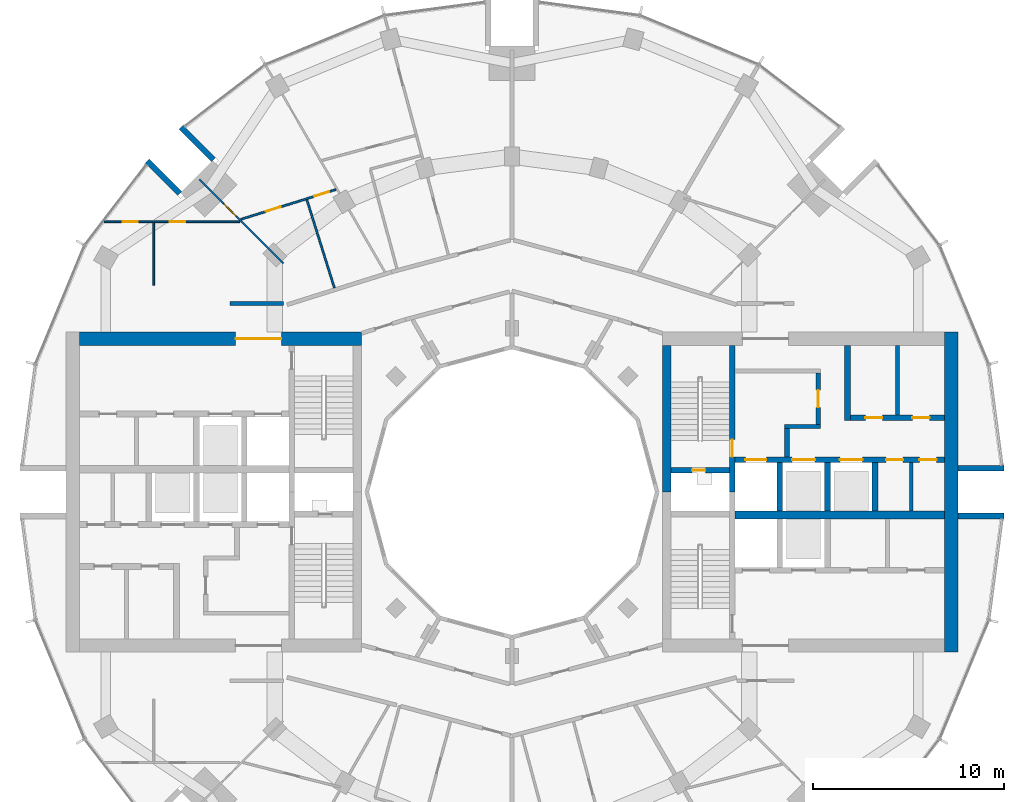
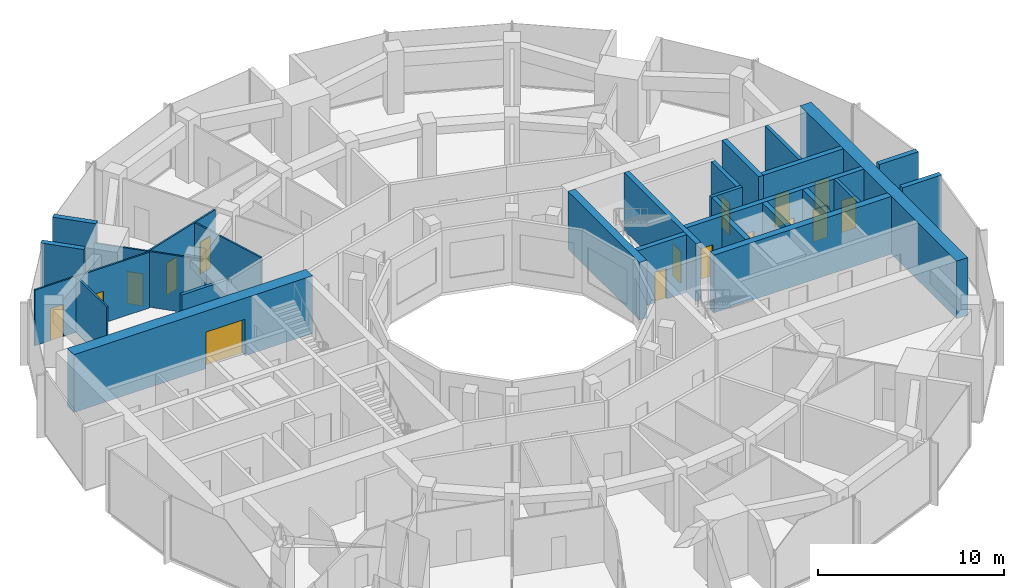
# One storey, part 11 of 15: 27 walls, 16 doors, 16 openings.
"""IFC4 building model written with IfcOpenShell, lengths in metres."""

from ifc_helpers import new_model, si_unit, direction, frame, frame_2d, origin, place, context, subcontext, project, spatial, rectangle, extrude, material, layer, layer_set, type_object, element, fill, save


model = new_model("IFC4")

# Units and contexts
model_context = context("Model", 3, precision=1e-05, world=origin(), true_north=direction((0.0, 1.0)))
body_context = subcontext(model_context, "Body", "Model", "MODEL_VIEW")
ifc_project = project(units=[si_unit("LENGTHUNIT", "METRE"), si_unit("AREAUNIT", "SQUARE_METRE"), si_unit("VOLUMEUNIT", "CUBIC_METRE"), si_unit("PLANEANGLEUNIT", "RADIAN"), si_unit("MASSUNIT", "GRAM", prefix="KILO")], contexts=[model_context])

# Site, building, storey
site_placement = place(None, origin())
site = spatial("IfcSite", under=ifc_project, at=site_placement, CompositionType="ELEMENT")
building_placement = place(site_placement, origin())
building = spatial("IfcBuilding", under=site, at=building_placement, Name="Torre Brocal", CompositionType="ELEMENT")
storey_placement = place(building_placement, frame((0.0, 0.0, 157.699951171875)))
storey = spatial("IfcBuildingStorey", under=building, at=storey_placement, Name="L36", CompositionType="ELEMENT", Elevation=157.699951171875)

# Walls
ifc_material_1 = material(Name="Masonry block", Category="masonry")
ifc_layer_1 = layer(ifc_material_1, 0.199951171875)
ifc_layer_set_1 = layer_set([ifc_layer_1], Name="Masonry block")
wall_type_1 = type_object("IfcWallType", Name="CORE PARTITION 200", PredefinedType="PARTITIONING", material=ifc_layer_set_1)
wall_1_placement = place(storey_placement, frame((100.949951171875, 74.0, 0.0), z_axis=(0.0, 0.0, 1.0), x_axis=(0.0, 1.0, 0.0)))
element("IfcWall", 1, at=wall_1_placement, inside=storey, type_object=wall_type_1, Name="Wall CP200", PredefinedType="PARTITIONING", context=body_context, shape_type="SweptSolid", body=[
    extrude(rectangle(XDim=2.550048828125, YDim=0.199951171875, at=frame_2d((1.27490234375, 0.0))), origin(), (0.0, 0.0, 1.0), 3.780029296875),
])
wall_2_placement = place(storey_placement, frame((100.22509765625, 79.050048828125, 0.0), z_axis=(0.0, 0.0, 1.0), x_axis=(0.0, 1.0, 0.0)))
element("IfcWall", 2, at=wall_2_placement, inside=storey, type_object=wall_type_1, Name="Wall CP200", PredefinedType="PARTITIONING", context=body_context, shape_type="SweptSolid", body=[
    extrude(rectangle(XDim=3.64990234375, YDim=0.199951171875, at=frame_2d((1.824951171875, 0.0))), origin(), (0.0, 0.0, 1.0), 3.780029296875),
])
ifc_material_2 = material(Name="Concrete C70", Category="concrete")
ifc_layer_2 = layer(ifc_material_2, 0.199951171875)
ifc_layer_set_2 = layer_set([ifc_layer_2], Name="Concrete C70")
wall_type_2 = type_object("IfcWallType", Name="CORE WALL 200 C70", PredefinedType="SHEAR", material=ifc_layer_set_2)
wall_3_placement = place(storey_placement, frame((94.300048828125, 78.449951171875, 0.0), z_axis=(0.0, 0.0, 1.0), x_axis=(1.0, 0.0, 0.0)))
element("IfcWall", 3, at=wall_3_placement, inside=storey, type_object=wall_type_2, Name="Wall CW200-70", PredefinedType="SHEAR", context=body_context, shape_type="SweptSolid", body=[
    extrude(rectangle(XDim=1.89990234375, YDim=0.199951171875, at=frame_2d((0.949951171875, 0.0))), origin(), (0.0, 0.0, 1.0), 3.780029296875),
])

# Wall, opening, door
ifc_material_3 = material(Name="Concrete C70", Category="concrete")
ifc_layer_3 = layer(ifc_material_3, 0.25)
ifc_layer_set_3 = layer_set([ifc_layer_3], Name="Concrete C70")
wall_type_3 = type_object("IfcWallType", Name="CORE WALL 250 C70", PredefinedType="SHEAR", material=ifc_layer_set_3)
wall_4_placement = place(storey_placement, frame((96.074951171875, 78.550048828125, 0.0), z_axis=(0.0, 0.0, 1.0), x_axis=(0.0, 1.0, 0.0)))
wall_4 = element("IfcWall", 4, at=wall_4_placement, inside=storey, type_object=wall_type_3, Name="Wall CW250-70", PredefinedType="SHEAR", context=body_context, shape_type="SweptSolid", body=[
    extrude(rectangle(XDim=2.699951171875, YDim=0.25, at=frame_2d((1.35009765625, 0.0))), origin(), (0.0, 0.0, 1.0), 3.780029296875),
])
opening_1_placement = place(wall_4_placement, frame((0.89990234375, 0.0, 0.0)))
opening_1 = element("IfcOpeningElement", 5, at=opening_1_placement, cuts=wall_4, Name="Opening E-D08", PredefinedType="OPENING", context=body_context, shape_type="SweptSolid", body=[
    extrude(rectangle(XDim=0.89990234375, YDim=2.10009765625, at=frame_2d((0.449951171875, 1.050048828125))), frame((0.0, 0.135009765625, 0.0), z_axis=(0.0, -1.0, 0.0), x_axis=(1.0, 0.0, 0.0)), (0.0, 0.0, 1.0), 0.27001953125),
])
ifc_material_4 = material(Name="Steel A653", Category="steel")
door_type_1 = type_object("IfcDoorType", Name="LOBBY DOOR FD120 900X2100", OperationType="SINGLE_SWING_RIGHT", PredefinedType="DOOR", material=ifc_material_4)
door_1_placement = place(opening_1_placement, origin())
door_1 = element("IfcDoor", 6, at=door_1_placement, inside=storey, type_object=door_type_1, Name="Door E-D08", OperationType="SINGLE_SWING_LEFT", OverallHeight=2.10009765625, OverallWidth=0.89990234375, PredefinedType="DOOR", context=body_context, shape_type="SweptSolid", body=[
    extrude(rectangle(XDim=0.89990234375, YDim=2.10009765625, at=frame_2d((0.449951171875, 1.050048828125))), frame((0.0, 0.02490234375, 0.0), z_axis=(0.0, -1.0, 0.0), x_axis=(1.0, 0.0, 0.0)), (0.0, 0.0, 1.0), 0.050048828125),
])
fill(opening_1, door_1)

# Wall
wall_5_placement = place(storey_placement, frame((94.425048828125, 76.85009765625, 0.0), z_axis=(0.0, 0.0, 1.0), x_axis=(0.0, 1.0, 0.0)))
element("IfcWall", 7, at=wall_5_placement, inside=storey, type_object=wall_type_3, Name="Wall CW250-70", PredefinedType="SHEAR", context=body_context, shape_type="SweptSolid", body=[
    extrude(rectangle(XDim=1.5, YDim=0.25, at=frame_2d((0.75, 0.0))), origin(), (0.0, 0.0, 1.0), 3.780029296875),
])

# Wall, opening, door
ifc_material_5 = material(Name="Concrete C70", Category="concrete")
ifc_layer_4 = layer(ifc_material_5, 0.300048828125)
ifc_layer_set_4 = layer_set([ifc_layer_4], Name="Concrete C70")
wall_type_4 = type_object("IfcWallType", Name="CORE WALL 300 C70", PredefinedType="SHEAR", material=ifc_layer_set_4)
wall_6_placement = place(storey_placement, frame((91.550048828125, 75.0, 0.0), z_axis=(0.0, 0.0, 1.0), x_axis=(0.0, 1.0, 0.0)))
wall_6 = element("IfcWall", 8, at=wall_6_placement, inside=storey, type_object=wall_type_4, Name="Wall CW300-70", PredefinedType="SHEAR", context=body_context, shape_type="SweptSolid", body=[
    extrude(rectangle(XDim=7.699951171875, YDim=0.300048828125, at=frame_2d((3.85009765625, 0.0))), origin(), (0.0, 0.0, 1.0), 3.780029296875),
])
opening_2_placement = place(wall_6_placement, frame((1.85009765625, 0.0, 0.0)))
opening_2 = element("IfcOpeningElement", 9, at=opening_2_placement, cuts=wall_6, Name="Opening E-D02", PredefinedType="OPENING", context=body_context, shape_type="SweptSolid", body=[
    extrude(rectangle(XDim=0.89990234375, YDim=2.10009765625, at=frame_2d((0.449951171875, 1.050048828125))), frame((0.0, 0.159912109375, 0.0), z_axis=(0.0, -1.0, 0.0), x_axis=(1.0, 0.0, 0.0)), (0.0, 0.0, 1.0), 0.320068359375),
])
ifc_material_6 = material(Name="Steel A653", Category="steel")
door_type_2 = type_object("IfcDoorType", Name="STAIR DOOR FD120 900X2100", OperationType="SINGLE_SWING_RIGHT", PredefinedType="DOOR", material=ifc_material_6)
door_2_placement = place(opening_2_placement, origin())
door_2 = element("IfcDoor", 10, at=door_2_placement, inside=storey, type_object=door_type_2, Name="Door E-D02", OperationType="SINGLE_SWING_LEFT", OverallHeight=2.10009765625, OverallWidth=0.89990234375, PredefinedType="DOOR", context=body_context, shape_type="SweptSolid", body=[
    extrude(rectangle(XDim=0.89990234375, YDim=2.10009765625, at=frame_2d((0.449951171875, 1.050048828125))), frame((0.0, 0.02490234375, 0.0), z_axis=(0.0, -1.0, 0.0), x_axis=(1.0, 0.0, 0.0)), (0.0, 0.0, 1.0), 0.050048828125),
])
fill(opening_2, door_2)

wall_7_placement = place(storey_placement, frame((88.35009765625, 76.14990234375, 0.0), z_axis=(0.0, 0.0, 1.0), x_axis=(1.0, 0.0, 0.0)))
wall_7 = element("IfcWall", 11, at=wall_7_placement, inside=storey, type_object=wall_type_4, Name="Wall CW300-70", PredefinedType="SHEAR", context=body_context, shape_type="SweptSolid", body=[
    extrude(rectangle(XDim=3.0498046875, YDim=0.300048828125, at=frame_2d((1.52490234375, 0.0))), origin(), (0.0, 0.0, 1.0), 3.780029296875),
])
opening_3_placement = place(wall_7_placement, frame((1.10009765625, 0.0, 0.0)))
opening_3 = element("IfcOpeningElement", 12, at=opening_3_placement, cuts=wall_7, Name="Opening E-D01", PredefinedType="OPENING", context=body_context, shape_type="SweptSolid", body=[
    extrude(rectangle(XDim=0.699951171875, YDim=2.0, at=frame_2d((0.35009765625, 1.0))), frame((0.0, 0.159912109375, 0.0), z_axis=(0.0, -1.0, 0.0), x_axis=(1.0, 0.0, 0.0)), (0.0, 0.0, 1.0), 0.320068359375),
])
ifc_material_7 = material(Name="Steel A653", Category="steel")
door_type_3 = type_object("IfcDoorType", Name="RISER DOOR FD120 700X2000", OperationType="SINGLE_SWING_LEFT", PredefinedType="DOOR", material=ifc_material_7)
door_3_placement = place(opening_3_placement, frame((0.699951171875, 0.0, 0.0), z_axis=(0.0, 0.0, 1.0), x_axis=(-1.0, 0.0, 0.0)))
door_3 = element("IfcDoor", 13, at=door_3_placement, inside=storey, type_object=door_type_3, Name="Door E-D01", OperationType="SINGLE_SWING_RIGHT", OverallHeight=2.0, OverallWidth=0.699951171875, PredefinedType="DOOR", context=body_context, shape_type="SweptSolid", body=[
    extrude(rectangle(XDim=0.699951171875, YDim=2.0, at=frame_2d((0.35009765625, 1.0))), frame((0.0, 0.02490234375, 0.0), z_axis=(0.0, -1.0, 0.0), x_axis=(1.0, 0.0, 0.0)), (0.0, 0.0, 1.0), 0.050048828125),
])
fill(opening_3, door_3)

# Wall, openings, doors
wall_8_placement = place(storey_placement, frame((91.699951171875, 76.699951171875, 0.0), z_axis=(0.0, 0.0, 1.0), x_axis=(1.0, 0.0, 0.0)))
wall_8 = element("IfcWall", 14, at=wall_8_placement, inside=storey, type_object=wall_type_4, Name="Wall CW300-70", PredefinedType="SHEAR", context=body_context, shape_type="SweptSolid", body=[
    extrude(rectangle(XDim=11.0, YDim=0.300048828125, at=frame_2d((5.5, 0.0))), origin(), (0.0, 0.0, 1.0), 3.780029296875),
])
opening_4_placement = place(wall_8_placement, frame((0.550048828125, 0.0, 0.0)))
opening_4 = element("IfcOpeningElement", 15, at=opening_4_placement, cuts=wall_8, Name="Opening LD", PredefinedType="OPENING", context=body_context, shape_type="SweptSolid", body=[
    extrude(rectangle(XDim=1.10009765625, YDim=2.10009765625, at=frame_2d((0.550048828125, 1.050048828125))), frame((0.0, 0.159912109375, 0.0), z_axis=(0.0, -1.0, 0.0), x_axis=(1.0, 0.0, 0.0)), (0.0, 0.0, 1.0), 0.320068359375),
])
opening_5_placement = place(wall_8_placement, frame((3.0, 0.0, 0.0)))
opening_5 = element("IfcOpeningElement", 16, at=opening_5_placement, cuts=wall_8, Name="Opening LD12", PredefinedType="OPENING", context=body_context, shape_type="SweptSolid", body=[
    extrude(rectangle(XDim=1.199951171875, YDim=2.10009765625, at=frame_2d((0.60009765625, 1.050048828125))), frame((0.0, 0.159912109375, 0.0), z_axis=(0.0, -1.0, 0.0), x_axis=(1.0, 0.0, 0.0)), (0.0, 0.0, 1.0), 0.320068359375),
])
opening_6_placement = place(wall_8_placement, frame((5.5, 0.0, 0.0)))
opening_6 = element("IfcOpeningElement", 17, at=opening_6_placement, cuts=wall_8, Name="Opening LD12", PredefinedType="OPENING", context=body_context, shape_type="SweptSolid", body=[
    extrude(rectangle(XDim=1.199951171875, YDim=2.10009765625, at=frame_2d((0.60009765625, 1.050048828125))), frame((0.0, 0.159912109375, 0.0), z_axis=(0.0, -1.0, 0.0), x_axis=(1.0, 0.0, 0.0)), (0.0, 0.0, 1.0), 0.320068359375),
])
opening_7_placement = place(wall_8_placement, frame((7.925048828125, 0.0, 0.0)))
opening_7 = element("IfcOpeningElement", 18, at=opening_7_placement, cuts=wall_8, Name="Opening E-D04", PredefinedType="OPENING", context=body_context, shape_type="SweptSolid", body=[
    extrude(rectangle(XDim=0.89990234375, YDim=2.10009765625, at=frame_2d((0.449951171875, 1.050048828125))), frame((0.0, 0.159912109375, 0.0), z_axis=(0.0, -1.0, 0.0), x_axis=(1.0, 0.0, 0.0)), (0.0, 0.0, 1.0), 0.320068359375),
])
opening_8_placement = place(wall_8_placement, frame((9.675048828125, 0.0, 0.0)))
opening_8 = element("IfcOpeningElement", 19, at=opening_8_placement, cuts=wall_8, Name="Opening E-D05", PredefinedType="OPENING", context=body_context, shape_type="SweptSolid", body=[
    extrude(rectangle(XDim=0.89990234375, YDim=2.10009765625, at=frame_2d((0.449951171875, 1.050048828125))), frame((0.0, 0.159912109375, 0.0), z_axis=(0.0, -1.0, 0.0), x_axis=(1.0, 0.0, 0.0)), (0.0, 0.0, 1.0), 0.320068359375),
])
ifc_material_8 = material(Name="Stainless steel AISI 316", Category="steel")
door_type_4 = type_object("IfcDoorType", Name="LIFT LANDING DOOR 1100X2100", OperationType="DOUBLE_DOOR_SLIDING", PredefinedType="DOOR", material=ifc_material_8)
door_4_placement = place(opening_4_placement, origin())
door_4 = element("IfcDoor", 20, at=door_4_placement, inside=storey, type_object=door_type_4, Name="Door LD", OperationType="DOUBLE_DOOR_SLIDING", OverallHeight=2.10009765625, OverallWidth=1.10009765625, PredefinedType="DOOR", context=body_context, shape_type="SweptSolid", body=[
    extrude(rectangle(XDim=1.10009765625, YDim=2.10009765625, at=frame_2d((0.550048828125, 1.050048828125))), frame((0.0, 0.02490234375, 0.0), z_axis=(0.0, -1.0, 0.0), x_axis=(1.0, 0.0, 0.0)), (0.0, 0.0, 1.0), 0.050048828125),
])
fill(opening_4, door_4)
ifc_material_9 = material(Name="Stainless steel AISI 316", Category="steel")
door_type_5 = type_object("IfcDoorType", Name="LIFT LANDING DOOR 1200X2100", OperationType="DOUBLE_DOOR_SLIDING", PredefinedType="DOOR", material=ifc_material_9)
door_5_placement = place(opening_5_placement, origin())
door_5 = element("IfcDoor", 21, at=door_5_placement, inside=storey, type_object=door_type_5, Name="Door LD12", OperationType="DOUBLE_DOOR_SLIDING", OverallHeight=2.10009765625, OverallWidth=1.199951171875, PredefinedType="DOOR", context=body_context, shape_type="SweptSolid", body=[
    extrude(rectangle(XDim=1.199951171875, YDim=2.10009765625, at=frame_2d((0.60009765625, 1.050048828125))), frame((0.0, 0.02490234375, 0.0), z_axis=(0.0, -1.0, 0.0), x_axis=(1.0, 0.0, 0.0)), (0.0, 0.0, 1.0), 0.050048828125),
])
fill(opening_5, door_5)
door_6_placement = place(opening_6_placement, origin())
door_6 = element("IfcDoor", 22, at=door_6_placement, inside=storey, type_object=door_type_5, Name="Door LD12", OperationType="DOUBLE_DOOR_SLIDING", OverallHeight=2.10009765625, OverallWidth=1.199951171875, PredefinedType="DOOR", context=body_context, shape_type="SweptSolid", body=[
    extrude(rectangle(XDim=1.199951171875, YDim=2.10009765625, at=frame_2d((0.60009765625, 1.050048828125))), frame((0.0, 0.02490234375, 0.0), z_axis=(0.0, -1.0, 0.0), x_axis=(1.0, 0.0, 0.0)), (0.0, 0.0, 1.0), 0.050048828125),
])
fill(opening_6, door_6)
ifc_material_10 = material(Name="Steel A653", Category="steel")
door_type_6 = type_object("IfcDoorType", Name="ROOM DOOR FD30S 900X2100", OperationType="SINGLE_SWING_LEFT", PredefinedType="DOOR", material=ifc_material_10)
door_7_placement = place(opening_7_placement, frame((0.89990234375, 0.0, 0.0), z_axis=(0.0, 0.0, 1.0), x_axis=(-1.0, 0.0, 0.0)))
door_7 = element("IfcDoor", 23, at=door_7_placement, inside=storey, type_object=door_type_6, Name="Door E-D04", OperationType="SINGLE_SWING_LEFT", OverallHeight=2.10009765625, OverallWidth=0.89990234375, PredefinedType="DOOR", context=body_context, shape_type="SweptSolid", body=[
    extrude(rectangle(XDim=0.89990234375, YDim=2.10009765625, at=frame_2d((0.449951171875, 1.050048828125))), frame((0.0, 0.02490234375, 0.0), z_axis=(0.0, -1.0, 0.0), x_axis=(1.0, 0.0, 0.0)), (0.0, 0.0, 1.0), 0.050048828125),
])
fill(opening_7, door_7)
door_8_placement = place(opening_8_placement, frame((0.89990234375, 0.0, 0.0), z_axis=(0.0, 0.0, 1.0), x_axis=(-1.0, 0.0, 0.0)))
door_8 = element("IfcDoor", 24, at=door_8_placement, inside=storey, type_object=door_type_6, Name="Door E-D05", OperationType="SINGLE_SWING_RIGHT", OverallHeight=2.10009765625, OverallWidth=0.89990234375, PredefinedType="DOOR", context=body_context, shape_type="SweptSolid", body=[
    extrude(rectangle(XDim=0.89990234375, YDim=2.10009765625, at=frame_2d((0.449951171875, 1.050048828125))), frame((0.0, 0.02490234375, 0.0), z_axis=(0.0, -1.0, 0.0), x_axis=(1.0, 0.0, 0.0)), (0.0, 0.0, 1.0), 0.050048828125),
])
fill(opening_8, door_8)

# Walls
for number, where, z_axis, x_axis, name in (
    (25, (94.050048828125, 74.0, 0.0), (0.0, 0.0, 1.0), (0.0, 1.0, 0.0), "Wall CW300-70"),
    (26, (96.550048828125, 74.0, 0.0), (0.0, 0.0, 1.0), (0.0, 1.0, 0.0), "Wall CW300-70"),
    (27, (99.050048828125, 74.0, 0.0), (0.0, 0.0, 1.0), (0.0, 1.0, 0.0), "Wall CW300-70"),
):
    element("IfcWall", number, at=place(storey_placement, frame(where, z_axis=z_axis, x_axis=x_axis)), inside=storey, type_object=wall_type_4, Name=name, PredefinedType="SHEAR", context=body_context, shape_type="SweptSolid", body=[
        extrude(rectangle(XDim=2.550048828125, YDim=0.300048828125, at=frame_2d((1.27490234375, 0.0))), origin(), (0.0, 0.0, 1.0), 3.780029296875),
    ])
wall_9_placement = place(storey_placement, frame((97.60009765625, 78.75, 0.0), z_axis=(0.0, 0.0, 1.0), x_axis=(0.0, 1.0, 0.0)))
element("IfcWall", 28, at=wall_9_placement, inside=storey, type_object=wall_type_4, Name="Wall CW300-70", PredefinedType="SHEAR", context=body_context, shape_type="SweptSolid", body=[
    extrude(rectangle(XDim=3.949951171875, YDim=0.300048828125, at=frame_2d((1.97509765625, 0.0))), origin(), (0.0, 0.0, 1.0), 3.780029296875),
])

# Wall, openings, doors
wall_10_placement = place(storey_placement, frame((97.75, 78.89990234375, 0.0), z_axis=(0.0, 0.0, 1.0), x_axis=(1.0, 0.0, 0.0)))
wall_10 = element("IfcWall", 29, at=wall_10_placement, inside=storey, type_object=wall_type_4, Name="Wall CW300-70", PredefinedType="SHEAR", context=body_context, shape_type="SweptSolid", body=[
    extrude(rectangle(XDim=4.949951171875, YDim=0.300048828125, at=frame_2d((2.47509765625, 0.0))), origin(), (0.0, 0.0, 1.0), 3.780029296875),
])
opening_9_placement = place(wall_10_placement, frame((0.78759765625, 0.0, 0.0)))
opening_9 = element("IfcOpeningElement", 30, at=opening_9_placement, cuts=wall_10, Name="Opening E-D09", PredefinedType="OPENING", context=body_context, shape_type="SweptSolid", body=[
    extrude(rectangle(XDim=0.89990234375, YDim=2.10009765625, at=frame_2d((0.449951171875, 1.050048828125))), frame((0.0, 0.159912109375, 0.0), z_axis=(0.0, -1.0, 0.0), x_axis=(1.0, 0.0, 0.0)), (0.0, 0.0, 1.0), 0.320068359375),
])
opening_10_placement = place(wall_10_placement, frame((3.262451171875, 0.0, 0.0)))
opening_10 = element("IfcOpeningElement", 31, at=opening_10_placement, cuts=wall_10, Name="Opening E-D10", PredefinedType="OPENING", context=body_context, shape_type="SweptSolid", body=[
    extrude(rectangle(XDim=0.89990234375, YDim=2.10009765625, at=frame_2d((0.449951171875, 1.050048828125))), frame((0.0, 0.159912109375, 0.0), z_axis=(0.0, -1.0, 0.0), x_axis=(1.0, 0.0, 0.0)), (0.0, 0.0, 1.0), 0.320068359375),
])
door_9_placement = place(opening_9_placement, origin())
door_9 = element("IfcDoor", 32, at=door_9_placement, inside=storey, type_object=door_type_6, Name="Door E-D09", OperationType="SINGLE_SWING_RIGHT", OverallHeight=2.10009765625, OverallWidth=0.89990234375, PredefinedType="DOOR", context=body_context, shape_type="SweptSolid", body=[
    extrude(rectangle(XDim=0.89990234375, YDim=2.10009765625, at=frame_2d((0.449951171875, 1.050048828125))), frame((0.0, 0.02490234375, 0.0), z_axis=(0.0, -1.0, 0.0), x_axis=(1.0, 0.0, 0.0)), (0.0, 0.0, 1.0), 0.050048828125),
])
fill(opening_9, door_9)
door_10_placement = place(opening_10_placement, origin())
door_10 = element("IfcDoor", 33, at=door_10_placement, inside=storey, type_object=door_type_6, Name="Door E-D10", OperationType="SINGLE_SWING_LEFT", OverallHeight=2.10009765625, OverallWidth=0.89990234375, PredefinedType="DOOR", context=body_context, shape_type="SweptSolid", body=[
    extrude(rectangle(XDim=0.89990234375, YDim=2.10009765625, at=frame_2d((0.449951171875, 1.050048828125))), frame((0.0, 0.02490234375, 0.0), z_axis=(0.0, -1.0, 0.0), x_axis=(1.0, 0.0, 0.0)), (0.0, 0.0, 1.0), 0.050048828125),
])
fill(opening_10, door_10)

# Walls
ifc_material_11 = material(Name="Concrete C70", Category="concrete")
ifc_layer_5 = layer(ifc_material_11, 0.39990234375)
ifc_layer_set_5 = layer_set([ifc_layer_5], Name="Concrete C70")
wall_type_5 = type_object("IfcWallType", Name="CORE WALL 400 C70", PredefinedType="SHEAR", material=ifc_layer_set_5)
wall_11_placement = place(storey_placement, frame((91.699951171875, 73.800048828125, 0.0), z_axis=(0.0, 0.0, 1.0), x_axis=(1.0, 0.0, 0.0)))
element("IfcWall", 34, at=wall_11_placement, inside=storey, type_object=wall_type_5, Name="Wall CW400-70", PredefinedType="SHEAR", context=body_context, shape_type="SweptSolid", body=[
    extrude(rectangle(XDim=11.0, YDim=0.39990234375, at=frame_2d((5.5, 0.0))), origin(), (0.0, 0.0, 1.0), 3.780029296875),
])
ifc_material_12 = material(Name="Concrete C70", Category="concrete")
ifc_layer_6 = layer(ifc_material_12, 0.449951171875)
ifc_layer_set_6 = layer_set([ifc_layer_6], Name="Concrete C70")
wall_type_6 = type_object("IfcWallType", Name="CORE WALL 450 C70", PredefinedType="SHEAR", material=ifc_layer_set_6)
wall_12_placement = place(storey_placement, frame((88.125, 75.0, 0.0), z_axis=(0.0, 0.0, 1.0), x_axis=(0.0, 1.0, 0.0)))
element("IfcWall", 35, at=wall_12_placement, inside=storey, type_object=wall_type_6, Name="Wall CW450-70", PredefinedType="SHEAR", context=body_context, shape_type="SweptSolid", body=[
    extrude(rectangle(XDim=7.699951171875, YDim=0.449951171875, at=frame_2d((3.85009765625, 0.0))), origin(), (0.0, 0.0, 1.0), 3.780029296875),
])
ifc_material_13 = material(Name="Concrete C70", Category="concrete")
ifc_layer_7 = layer(ifc_material_13, 0.699951171875)
ifc_layer_set_7 = layer_set([ifc_layer_7], Name="Concrete C70")
wall_type_7 = type_object("IfcWallType", Name="CORE WALL 700 C70", PredefinedType="SHEAR", material=ifc_layer_set_7)
wall_13_placement = place(storey_placement, frame((103.050048828125, 66.60009765625, 0.0), z_axis=(0.0, 0.0, 1.0), x_axis=(0.0, 1.0, 0.0)))
element("IfcWall", 36, at=wall_13_placement, inside=storey, type_object=wall_type_7, Name="Wall CW700-70", PredefinedType="SHEAR", context=body_context, shape_type="SweptSolid", body=[
    extrude(rectangle(XDim=16.7998046875, YDim=0.699951171875, at=frame_2d((8.39990234375, 0.0))), origin(), (0.0, 0.0, 1.0), 3.780029296875),
])

# Wall, opening, door
wall_14_placement = place(storey_placement, frame((72.10009765625, 83.050048828125, 0.0), z_axis=(0.0, 0.0, 1.0), x_axis=(-1.0, 0.0, 0.0)))
wall_14 = element("IfcWall", 37, at=wall_14_placement, inside=storey, type_object=wall_type_7, Name="Wall CW700-70", PredefinedType="SHEAR", context=body_context, shape_type="SweptSolid", body=[
    extrude(rectangle(XDim=14.800048828125, YDim=0.699951171875, at=frame_2d((7.39990234375, 0.0))), origin(), (0.0, 0.0, 1.0), 3.780029296875),
])
opening_11_placement = place(wall_14_placement, frame((4.199951171875, 0.0, 0.0)))
opening_11 = element("IfcOpeningElement", 38, at=opening_11_placement, cuts=wall_14, Name="Opening W-D12", PredefinedType="OPENING", context=body_context, shape_type="SweptSolid", body=[
    extrude(rectangle(XDim=2.39990234375, YDim=2.39990234375, at=frame_2d((1.199951171875, 1.199951171875))), frame((0.0, 0.35986328125, 0.0), z_axis=(0.0, -1.0, 0.0), x_axis=(1.0, 0.0, 0.0)), (0.0, 0.0, 1.0), 0.719970703125),
])
ifc_material_14 = material(Name="Steel A653", Category="steel")
door_type_7 = type_object("IfcDoorType", Name="DOUBLE FIRE DOOR FD90 2400X2400", OperationType="DOUBLE_DOOR_SINGLE_SWING", PredefinedType="DOOR", material=ifc_material_14)
door_11_placement = place(opening_11_placement, origin())
door_11 = element("IfcDoor", 39, at=door_11_placement, inside=storey, type_object=door_type_7, Name="Door W-D12", OperationType="DOUBLE_DOOR_SINGLE_SWING", OverallHeight=2.39990234375, OverallWidth=2.39990234375, PredefinedType="DOOR", context=body_context, shape_type="SweptSolid", body=[
    extrude(rectangle(XDim=2.39990234375, YDim=2.39990234375, at=frame_2d((1.199951171875, 1.199951171875))), frame((0.0, 0.02490234375, 0.0), z_axis=(0.0, -1.0, 0.0), x_axis=(1.0, 0.0, 0.0)), (0.0, 0.0, 1.0), 0.050048828125),
])
fill(opening_11, door_11)

# Walls
ifc_material_15 = material(Name="Concrete C70", Category="concrete")
ifc_layer_8 = layer(ifc_material_15, 0.300048828125)
ifc_layer_set_8 = layer_set([ifc_layer_8], Name="Concrete C70")
wall_type_8 = type_object("IfcWallType", Name="NOTCH RETURN WALL 300 C70", PredefinedType="NOTDEFINED", material=ifc_layer_set_8)
for number, where, z_axis, x_axis, name in (
    (40, (103.39990234375, 73.75, 0.0), (0.0, 0.0, 1.0), (1.0, 0.0, 0.0), "NOTCH RETURN WALL"),
    (41, (103.39990234375, 76.25, 0.0), (0.0, 0.0, 1.0), (1.0, 0.0, 0.0), "NOTCH RETURN WALL"),
    (42, (64.337646484375, 92.43017578125, 0.0), (0.0, 0.0, 1.0), (-0.707106781187, 0.707106781187, 0.0), "NOTCH RETURN WALL"),
    (43, (62.56982421875, 90.662353515625, 0.0), (0.0, 0.0, 1.0), (-0.707106781187, 0.707106781187, 0.0), "NOTCH RETURN WALL"),
):
    element("IfcWall", number, at=place(storey_placement, frame(where, z_axis=z_axis, x_axis=x_axis)), inside=storey, type_object=wall_type_8, Name=name, PredefinedType="NOTDEFINED", context=body_context, shape_type="SweptSolid", body=[
        extrude(rectangle(XDim=2.415771484375, YDim=0.300048828125, at=frame_2d((1.2080078125, 0.0))), origin(), (0.0, 0.0, 1.0), 4.10009765625),
    ])

# Wall, openings, doors
ifc_material_16 = material(Name="Gypsum board", Category="Gypsum")
ifc_layer_9 = layer(ifc_material_16, 0.10009765625)
ifc_layer_set_9 = layer_set([ifc_layer_9], Name="Gypsum board")
wall_type_9 = type_object("IfcWallType", Name="PARTITION 100", PredefinedType="PARTITIONING", material=ifc_layer_set_9)
wall_15_placement = place(storey_placement, frame((58.60009765625, 89.18798828125, 0.0), z_axis=(0.0, 0.0, 1.0), x_axis=(1.0, 0.0, 0.0)))
wall_15 = element("IfcWall", 44, at=wall_15_placement, inside=storey, type_object=wall_type_9, Name="BATHROOM WALL", PredefinedType="PARTITIONING", context=body_context, shape_type="SweptSolid", body=[
    extrude(rectangle(XDim=7.101806640625, YDim=0.10009765625, at=frame_2d((3.55078125, 0.0))), origin(), (0.0, 0.0, 1.0), 3.650146484375),
])
opening_12_placement = place(wall_15_placement, frame((3.446533203125, 0.0, 0.0)))
opening_12 = element("IfcOpeningElement", 45, at=opening_12_placement, cuts=wall_15, Name="Opening R01-D13", PredefinedType="OPENING", context=body_context, shape_type="SweptSolid", body=[
    extrude(rectangle(XDim=0.800048828125, YDim=2.10009765625, at=frame_2d((0.39990234375, 1.050048828125))), frame((0.0, 0.06005859375, 0.0), z_axis=(0.0, -1.0, 0.0), x_axis=(1.0, 0.0, 0.0)), (0.0, 0.0, 1.0), 0.1201171875),
])
opening_13_placement = place(wall_15_placement, frame((0.965087890625, 0.0, 0.0)))
opening_13 = element("IfcOpeningElement", 46, at=opening_13_placement, cuts=wall_15, Name="Opening R01-D14", PredefinedType="OPENING", context=body_context, shape_type="SweptSolid", body=[
    extrude(rectangle(XDim=0.800048828125, YDim=2.10009765625, at=frame_2d((0.39990234375, 1.050048828125))), frame((0.0, 0.06005859375, 0.0), z_axis=(0.0, -1.0, 0.0), x_axis=(1.0, 0.0, 0.0)), (0.0, 0.0, 1.0), 0.1201171875),
])
ifc_material_17 = material(Name="Timber", Category="wood")
door_type_8 = type_object("IfcDoorType", Name="BATHROOM DOOR 800X2100", OperationType="SINGLE_SWING_LEFT", PredefinedType="DOOR", material=ifc_material_17)
door_12_placement = place(opening_12_placement, frame((0.800048828125, 0.0, 0.0), z_axis=(0.0, 0.0, 1.0), x_axis=(-1.0, 0.0, 0.0)))
door_12 = element("IfcDoor", 47, at=door_12_placement, inside=storey, type_object=door_type_8, Name="R01-D13", OperationType="SINGLE_SWING_RIGHT", OverallHeight=2.10009765625, OverallWidth=0.800048828125, PredefinedType="DOOR", context=body_context, shape_type="SweptSolid", body=[
    extrude(rectangle(XDim=0.800048828125, YDim=2.10009765625, at=frame_2d((0.39990234375, 1.050048828125))), frame((0.0, 0.02490234375, 0.0), z_axis=(0.0, -1.0, 0.0), x_axis=(1.0, 0.0, 0.0)), (0.0, 0.0, 1.0), 0.050048828125),
])
fill(opening_12, door_12)
door_13_placement = place(opening_13_placement, origin())
door_13 = element("IfcDoor", 48, at=door_13_placement, inside=storey, type_object=door_type_8, Name="R01-D14", OperationType="SINGLE_SWING_LEFT", OverallHeight=2.10009765625, OverallWidth=0.800048828125, PredefinedType="DOOR", context=body_context, shape_type="SweptSolid", body=[
    extrude(rectangle(XDim=0.800048828125, YDim=2.10009765625, at=frame_2d((0.39990234375, 1.050048828125))), frame((0.0, 0.02490234375, 0.0), z_axis=(0.0, -1.0, 0.0), x_axis=(1.0, 0.0, 0.0)), (0.0, 0.0, 1.0), 0.050048828125),
])
fill(opening_13, door_13)

# Wall
wall_16_placement = place(storey_placement, frame((61.199951171875, 85.85498046875, 0.0), z_axis=(0.0, 0.0, 1.0), x_axis=(0.0, 1.0, 0.0)))
element("IfcWall", 49, at=wall_16_placement, inside=storey, type_object=wall_type_9, Name="BATHROOM WALL", PredefinedType="PARTITIONING", context=body_context, shape_type="SweptSolid", body=[
    extrude(rectangle(XDim=3.282958984375, YDim=0.10009765625, at=frame_2d((1.6416015625, 0.0))), origin(), (0.0, 0.0, 1.0), 3.650146484375),
])

# Wall, opening, door
wall_17_placement = place(storey_placement, frame((63.598388671875, 91.408203125, 0.0), z_axis=(0.0, 0.0, 1.0), x_axis=(0.70693039891, -0.707283119477, 0.0)))
wall_17 = element("IfcWall", 50, at=wall_17_placement, inside=storey, type_object=wall_type_9, Name="BATHROOM WALL", PredefinedType="PARTITIONING", context=body_context, shape_type="SweptSolid", body=[
    extrude(rectangle(XDim=6.2294921875, YDim=0.10009765625, at=frame_2d((3.11474609375, 0.0))), origin(), (0.0, 0.0, 1.0), 3.650146484375),
])
opening_14_placement = place(wall_17_placement, frame((1.819091796875, 0.0, 0.0)))
opening_14 = element("IfcOpeningElement", 51, at=opening_14_placement, cuts=wall_17, Name="Opening R01-D12", PredefinedType="OPENING", context=body_context, shape_type="SweptSolid", body=[
    extrude(rectangle(XDim=0.89990234375, YDim=2.10009765625, at=frame_2d((0.449951171875, 1.050048828125))), frame((0.0, 0.06005859375, 0.0), z_axis=(0.0, -1.0, 0.0), x_axis=(1.0, 0.0, 0.0)), (0.0, 0.0, 1.0), 0.1201171875),
])
ifc_material_18 = material(Name="Timber", Category="wood")
door_type_9 = type_object("IfcDoorType", Name="ROOM DOOR 900X2100", OperationType="SINGLE_SWING_LEFT", PredefinedType="DOOR", material=ifc_material_18)
door_14_placement = place(opening_14_placement, frame((0.89990234375, 0.0, 0.0), z_axis=(0.0, 0.0, 1.0), x_axis=(-1.0, 0.0, 0.0)))
door_14 = element("IfcDoor", 52, at=door_14_placement, inside=storey, type_object=door_type_9, Name="R01-D12", OperationType="SINGLE_SWING_RIGHT", OverallHeight=2.10009765625, OverallWidth=0.89990234375, PredefinedType="DOOR", context=body_context, shape_type="SweptSolid", body=[
    extrude(rectangle(XDim=0.89990234375, YDim=2.10009765625, at=frame_2d((0.449951171875, 1.050048828125))), frame((0.0, 0.02490234375, 0.0), z_axis=(0.0, -1.0, 0.0), x_axis=(1.0, 0.0, 0.0)), (0.0, 0.0, 1.0), 0.050048828125),
])
fill(opening_14, door_14)

# Wall, openings, doors
wall_18_placement = place(storey_placement, frame((65.78515625, 89.316162109375, 0.0), z_axis=(0.0, 0.0, 1.0), x_axis=(0.954187348418, 0.299209799504, 0.0)))
wall_18 = element("IfcWall", 53, at=wall_18_placement, inside=storey, type_object=wall_type_9, Name="BATHROOM WALL", PredefinedType="PARTITIONING", context=body_context, shape_type="SweptSolid", body=[
    extrude(rectangle(XDim=5.21875, YDim=0.10009765625, at=frame_2d((2.609375, 0.0))), origin(), (0.0, 0.0, 1.0), 3.650146484375),
])
opening_15_placement = place(wall_18_placement, frame((1.367431640625, 0.0, 0.0)))
opening_15 = element("IfcOpeningElement", 54, at=opening_15_placement, cuts=wall_18, Name="Opening R01-D10", PredefinedType="OPENING", context=body_context, shape_type="SweptSolid", body=[
    extrude(rectangle(XDim=0.800048828125, YDim=2.10009765625, at=frame_2d((0.39990234375, 1.050048828125))), frame((0.0, 0.06005859375, 0.0), z_axis=(0.0, -1.0, 0.0), x_axis=(1.0, 0.0, 0.0)), (0.0, 0.0, 1.0), 0.1201171875),
])
opening_16_placement = place(wall_18_placement, frame((4.02734375, 0.0, 0.0)))
opening_16 = element("IfcOpeningElement", 55, at=opening_16_placement, cuts=wall_18, Name="Opening R01-D11", PredefinedType="OPENING", context=body_context, shape_type="SweptSolid", body=[
    extrude(rectangle(XDim=0.800048828125, YDim=2.10009765625, at=frame_2d((0.39990234375, 1.050048828125))), frame((0.0, 0.06005859375, 0.0), z_axis=(0.0, -1.0, 0.0), x_axis=(1.0, 0.0, 0.0)), (0.0, 0.0, 1.0), 0.1201171875),
])
door_15_placement = place(opening_15_placement, frame((0.800048828125, 0.0, 0.0), z_axis=(0.0, 0.0, 1.0), x_axis=(-1.0, 0.0, 0.0)))
door_15 = element("IfcDoor", 56, at=door_15_placement, inside=storey, type_object=door_type_8, Name="R01-D10", OperationType="SINGLE_SWING_RIGHT", OverallHeight=2.10009765625, OverallWidth=0.800048828125, PredefinedType="DOOR", context=body_context, shape_type="SweptSolid", body=[
    extrude(rectangle(XDim=0.800048828125, YDim=2.10009765625, at=frame_2d((0.39990234375, 1.050048828125))), frame((0.0, 0.02490234375, 0.0), z_axis=(0.0, -1.0, 0.0), x_axis=(1.0, 0.0, 0.0)), (0.0, 0.0, 1.0), 0.050048828125),
])
fill(opening_15, door_15)
door_16_placement = place(opening_16_placement, frame((0.800048828125, 0.0, 0.0), z_axis=(0.0, 0.0, 1.0), x_axis=(-1.0, 0.0, 0.0)))
door_16 = element("IfcDoor", 57, at=door_16_placement, inside=storey, type_object=door_type_8, Name="R01-D11", OperationType="SINGLE_SWING_RIGHT", OverallHeight=2.10009765625, OverallWidth=0.800048828125, PredefinedType="DOOR", context=body_context, shape_type="SweptSolid", body=[
    extrude(rectangle(XDim=0.800048828125, YDim=2.10009765625, at=frame_2d((0.39990234375, 1.050048828125))), frame((0.0, 0.02490234375, 0.0), z_axis=(0.0, -1.0, 0.0), x_axis=(1.0, 0.0, 0.0)), (0.0, 0.0, 1.0), 0.050048828125),
])
fill(opening_16, door_16)

# Walls
wall_19_placement = place(storey_placement, frame((69.23095703125, 90.34423828125, 0.0), z_axis=(0.0, 0.0, 1.0), x_axis=(0.299203490128, -0.954189326861, 0.0)))
element("IfcWall", 58, at=wall_19_placement, inside=storey, type_object=wall_type_9, Name="BATHROOM WALL", PredefinedType="PARTITIONING", context=body_context, shape_type="SweptSolid", body=[
    extrude(rectangle(XDim=4.85009765625, YDim=0.10009765625, at=frame_2d((2.425048828125, 0.0))), origin(), (0.0, 0.0, 1.0), 3.650146484375),
])
ifc_material_19 = material(Name="Gypsum board", Category="Gypsum")
ifc_layer_10 = layer(ifc_material_19, 0.199951171875)
ifc_layer_set_10 = layer_set([ifc_layer_10], Name="Gypsum board")
wall_type_10 = type_object("IfcWallType", Name="PARTITION 200 EI60", PredefinedType="PARTITIONING", material=ifc_layer_set_10)
wall_20_placement = place(storey_placement, frame((65.199951171875, 84.89990234375, 0.0), z_axis=(0.0, 0.0, 1.0), x_axis=(1.0, 0.0, 0.0)))
element("IfcWall", 59, at=wall_20_placement, inside=storey, type_object=wall_type_10, Name="GUESTROOM CORRIDOR WALL", PredefinedType="PARTITIONING", context=body_context, shape_type="SweptSolid", body=[
    extrude(rectangle(XDim=2.800048828125, YDim=0.199951171875, at=frame_2d((1.39990234375, 0.0))), origin(), (0.0, 0.0, 1.0), 3.650146484375),
])

save(model, "model.ifc")
